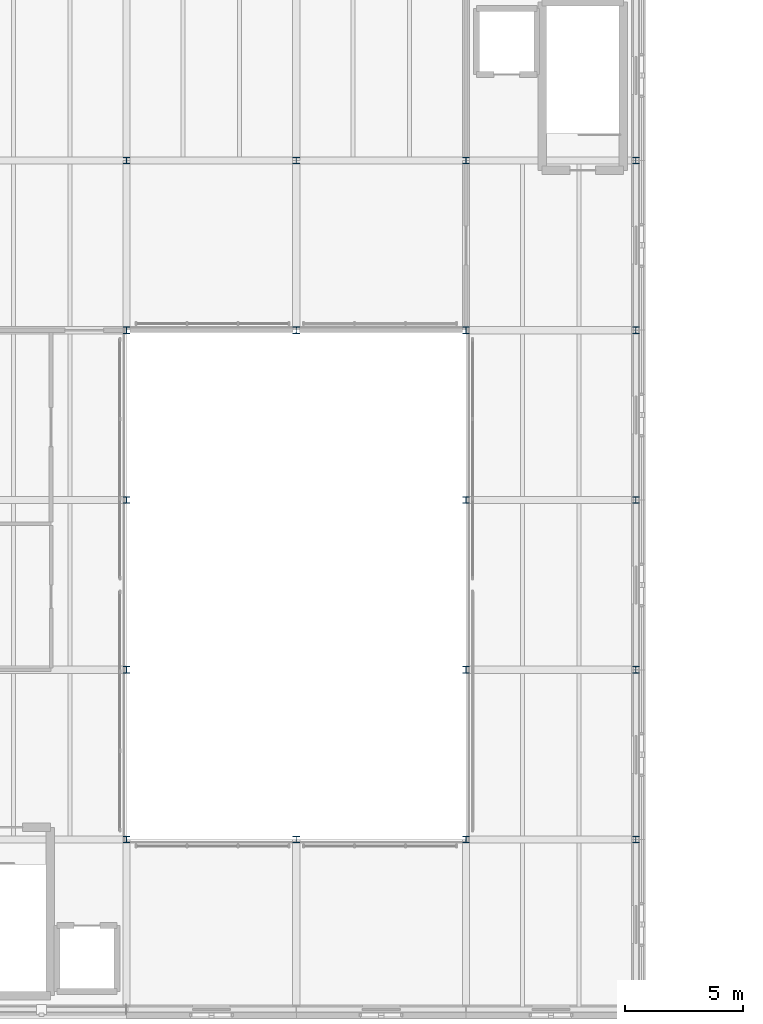
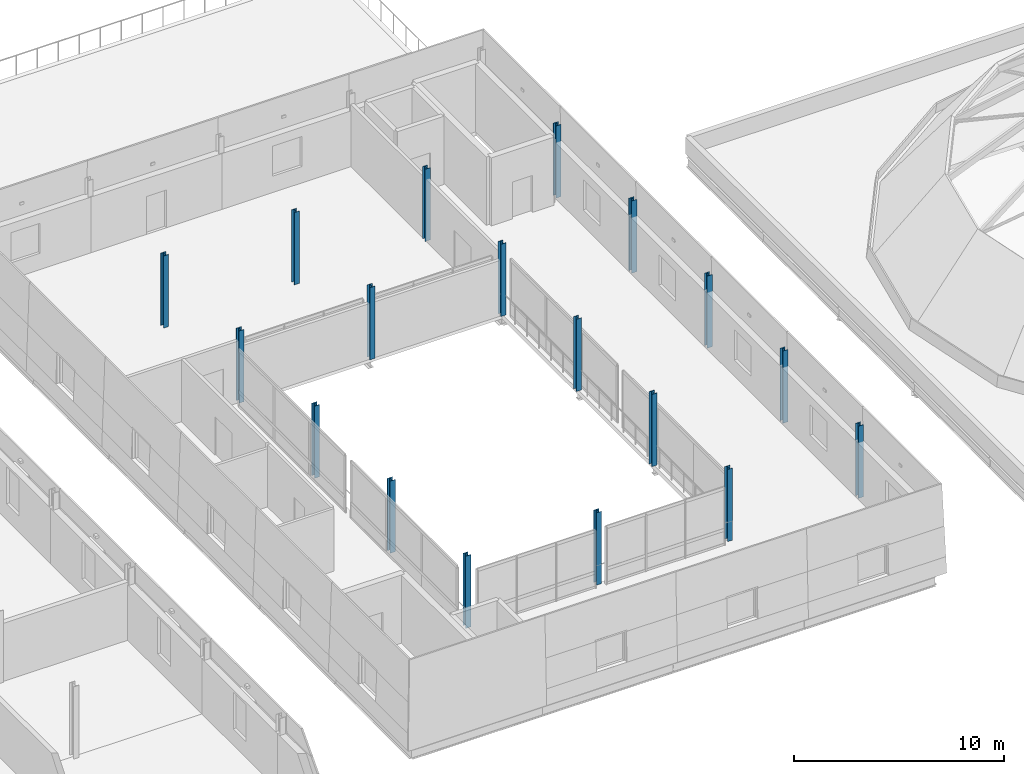
# One storey, part 4 of 66: 18 columns.
"""IFC4 building model written with IfcOpenShell, lengths in metres."""

from ifc_helpers import new_model, si_unit, direction, frame, origin, origin_2d, place, context, subcontext, project, spatial, i_section, extrude, material, material_profile, profile_set, type_object, element, save


model = new_model("IFC4")

# Units and contexts
model_context = context("Model", 3, precision=1e-05, world=origin(), true_north=direction((0.0, 1.0)))
body_context = subcontext(model_context, "Body", "Model", "MODEL_VIEW")
ifc_project = project(units=[si_unit("LENGTHUNIT", "METRE"), si_unit("AREAUNIT", "SQUARE_METRE"), si_unit("VOLUMEUNIT", "CUBIC_METRE"), si_unit("PLANEANGLEUNIT", "RADIAN"), si_unit("MASSUNIT", "GRAM", prefix="KILO")], contexts=[model_context])

# Site, building, storey
site_placement = place(None, origin())
site = spatial("IfcSite", under=ifc_project, at=site_placement, CompositionType="ELEMENT")
building_placement = place(site_placement, origin())
building = spatial("IfcBuilding", under=site, at=building_placement, Name="Narikvali Park Central Library", CompositionType="ELEMENT")
storey_placement = place(building_placement, frame((0.0, 0.0, 18.60009765625)))
storey = spatial("IfcBuildingStorey", under=building, at=storey_placement, Name="L04", CompositionType="ELEMENT", Elevation=18.60009765625)

# Columns
ifc_material = material(Name="Steel S355", Category="steel")
ifc_material_profile = material_profile(ifc_material, i_section(OverallWidth=0.280029296875, OverallDepth=0.280029296875, WebThickness=0.010498046875, FlangeThickness=0.01806640625, FilletRadius=0.02392578125, at=origin_2d()), Name="HEB 280")
ifc_profile_set = profile_set([ifc_material_profile], Name="Steel S355")
column_type = type_object("IfcColumnType", Name="Steel Column HEB280", PredefinedType="COLUMN", material=ifc_profile_set)
for number, where, z_axis, x_axis, name in (
    (1, (36.0, 64.800048828125, 0.0), (0.0, 0.0, 1.0), (1.0, 0.0, 0.0), "V4 L04 Column (36.0,64.8)"),
    (2, (36.0, 72.0, 0.0), (0.0, 0.0, 1.0), (1.0, 0.0, 0.0), "V4 L04 Column (36.0,72.0)"),
    (3, (36.0, 79.199951171875, 0.0), (0.0, 0.0, 1.0), (1.0, 0.0, 0.0), "V4 L04 Column (36.0,79.2)"),
    (4, (36.0, 86.39990234375, 0.0), (0.0, 0.0, 1.0), (1.0, 0.0, 0.0), "V4 L04 Column (36.0,86.4)"),
    (5, (36.0, 93.60009765625, 0.0), (0.0, 0.0, 1.0), (1.0, 0.0, 0.0), "V4 L04 Column (36.0,93.6)"),
    (6, (43.199951171875, 64.800048828125, 0.0), (0.0, 0.0, 1.0), (1.0, 0.0, 0.0), "V4 L04 Column (43.2,64.8)"),
    (7, (43.199951171875, 86.39990234375, 0.0), (0.0, 0.0, 1.0), (1.0, 0.0, 0.0), "V4 L04 Column (43.2,86.4)"),
    (8, (43.199951171875, 93.60009765625, 0.0), (0.0, 0.0, 1.0), (1.0, 0.0, 0.0), "V4 L04 Column (43.2,93.6)"),
    (9, (50.39990234375, 64.800048828125, 0.0), (0.0, 0.0, 1.0), (1.0, 0.0, 0.0), "V4 L04 Column (50.4,64.8)"),
    (10, (50.39990234375, 72.0, 0.0), (0.0, 0.0, 1.0), (1.0, 0.0, 0.0), "V4 L04 Column (50.4,72.0)"),
    (11, (50.39990234375, 79.199951171875, 0.0), (0.0, 0.0, 1.0), (1.0, 0.0, 0.0), "V4 L04 Column (50.4,79.2)"),
    (12, (50.39990234375, 86.39990234375, 0.0), (0.0, 0.0, 1.0), (1.0, 0.0, 0.0), "V4 L04 Column (50.4,86.4)"),
    (13, (50.39990234375, 93.60009765625, 0.0), (0.0, 0.0, 1.0), (1.0, 0.0, 0.0), "V4 L04 Column (50.4,93.6)"),
    (14, (57.60009765625, 64.800048828125, 0.0), (0.0, 0.0, 1.0), (1.0, 0.0, 0.0), "V4 L04 Column (57.6,64.8)"),
    (15, (57.60009765625, 72.0, 0.0), (0.0, 0.0, 1.0), (1.0, 0.0, 0.0), "V4 L04 Column (57.6,72.0)"),
    (16, (57.60009765625, 79.199951171875, 0.0), (0.0, 0.0, 1.0), (1.0, 0.0, 0.0), "V4 L04 Column (57.6,79.2)"),
    (17, (57.60009765625, 86.39990234375, 0.0), (0.0, 0.0, 1.0), (1.0, 0.0, 0.0), "V4 L04 Column (57.6,86.4)"),
    (18, (57.60009765625, 93.60009765625, 0.0), (0.0, 0.0, 1.0), (1.0, 0.0, 0.0), "V4 L04 Column (57.6,93.6)"),
):
    element("IfcColumn", number, at=place(storey_placement, frame(where, z_axis=z_axis, x_axis=x_axis)), inside=storey, type_object=column_type, Name=name, PredefinedType="COLUMN", context=body_context, shape_type="SweptSolid", body=[
        extrude(i_section(OverallWidth=0.280029296875, OverallDepth=0.280029296875, WebThickness=0.010498046875, FlangeThickness=0.01806640625, FilletRadius=0.02392578125, at=origin_2d()), origin(), (0.0, 0.0, 1.0), 4.199951171875),
    ])

save(model, "model.ifc")
